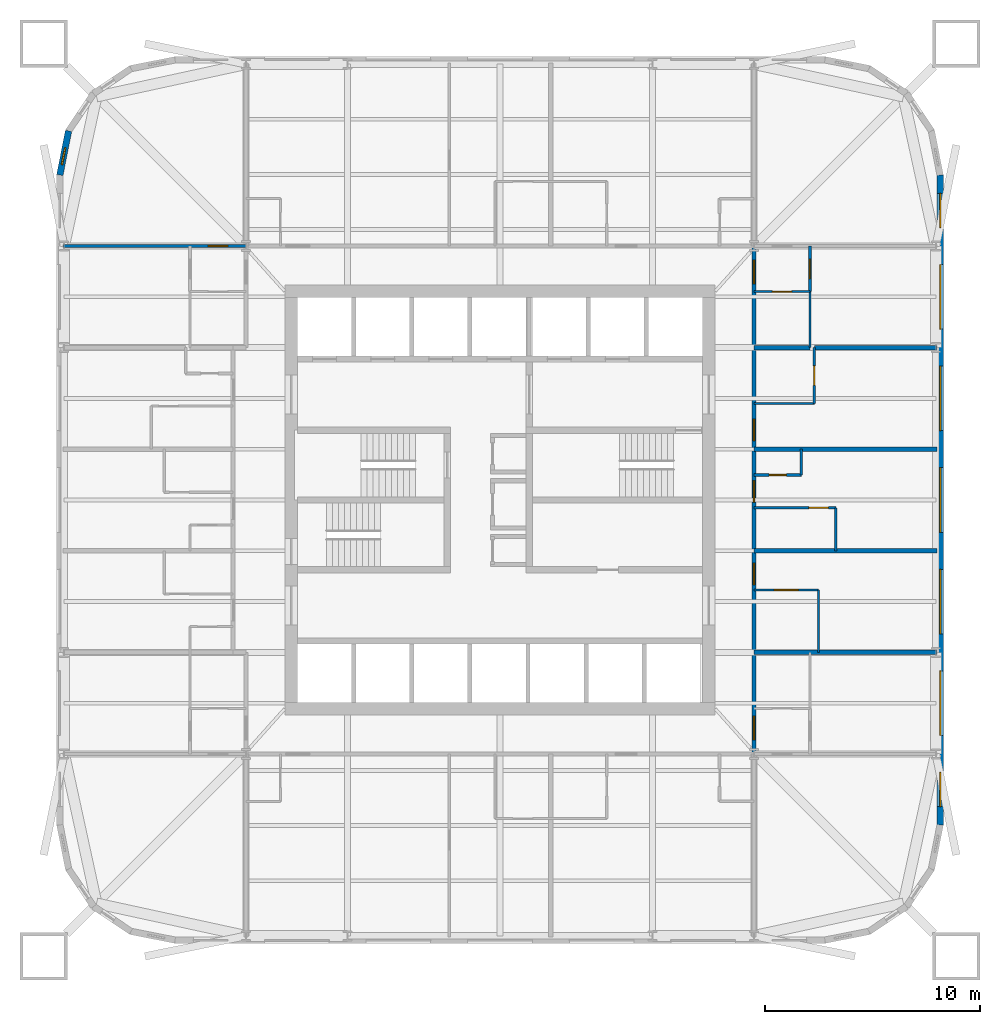
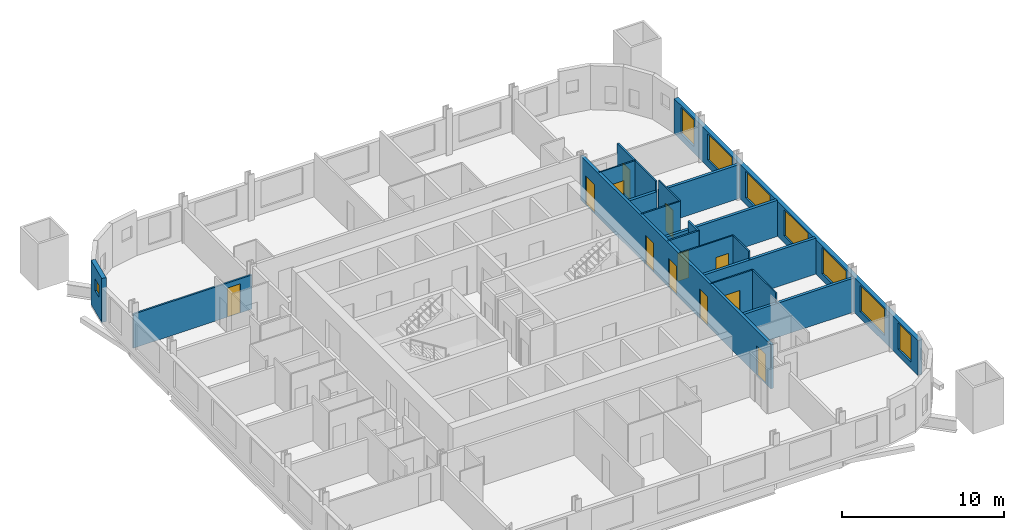
# One storey, part 6 of 9: 20 walls, 12 doors, 8 windows, 20 openings.
"""IFC4 building model written with IfcOpenShell, lengths in metres."""

from ifc_helpers import new_model, si_unit, direction, frame, frame_2d, origin, place, context, subcontext, project, spatial, rectangle, extrude, material, layer, layer_set, type_object, element, fill, save


model = new_model("IFC4")

# Units and contexts
model_context = context("Model", 3, precision=1e-05, world=origin(), true_north=direction((0.0, 1.0)))
body_context = subcontext(model_context, "Body", "Model", "MODEL_VIEW")
ifc_project = project(units=[si_unit("LENGTHUNIT", "METRE"), si_unit("AREAUNIT", "SQUARE_METRE"), si_unit("VOLUMEUNIT", "CUBIC_METRE"), si_unit("PLANEANGLEUNIT", "RADIAN"), si_unit("MASSUNIT", "GRAM", prefix="KILO")], contexts=[model_context])

# Site, building, storey
site_placement = place(None, origin())
site = spatial("IfcSite", under=ifc_project, at=site_placement, CompositionType="ELEMENT")
building_placement = place(site_placement, origin())
building = spatial("IfcBuilding", under=site, at=building_placement, Name="Turquesa Mirador Hotel Tower", CompositionType="ELEMENT")
storey_placement = place(building_placement, frame((0.0, 0.0, 149.39990234375)))
storey = spatial("IfcBuildingStorey", under=building, at=storey_placement, Name="L40", CompositionType="ELEMENT", Elevation=149.39990234375)

# Wall, opening, door
ifc_material_1 = material(Name="Gypsum board on steel studs", Category="steel")
ifc_layer_1 = layer(ifc_material_1, 0.10009765625)
ifc_layer_set_1 = layer_set([ifc_layer_1], Name="BATHROOM WALL 100")
wall_type_1 = type_object("IfcWallType", Name="BATHROOM WALL 100", PredefinedType="PARTITIONING", material=ifc_layer_set_1)
wall_1_placement = place(storey_placement, frame((66.800048828125, 44.639892578125, 0.0), z_axis=(0.0, 0.0, 1.0), x_axis=(1.0, 0.0, 0.0)))
wall_1 = element("IfcWall", 1, at=wall_1_placement, inside=storey, type_object=wall_type_1, Name="Partition L40 001", PredefinedType="PARTITIONING", context=body_context, shape_type="SweptSolid", body=[
    extrude(rectangle(XDim=3.800048828125, YDim=0.10009765625, at=frame_2d((1.89990234375, 0.0))), origin(), (0.0, 0.0, 1.0), 3.330078125),
])
opening_1_placement = place(wall_1_placement, frame((2.550048828125, 0.0, 0.0)))
opening_1 = element("IfcOpeningElement", 2, at=opening_1_placement, cuts=wall_1, Name="Opening D02", PredefinedType="OPENING", context=body_context, shape_type="SweptSolid", body=[
    extrude(rectangle(XDim=0.89990234375, YDim=2.10009765625, at=frame_2d((0.449951171875, 1.050048828125))), frame((0.0, 0.06005859375, 0.0), z_axis=(0.0, -1.0, 0.0), x_axis=(1.0, 0.0, 0.0)), (0.0, 0.0, 1.0), 0.1201171875),
])
ifc_material_2 = material(Name="Timber veneered door", Category="wood")
door_type_1 = type_object("IfcDoorType", Name="DOOR 900X2100 EN-SUITE", OperationType="SINGLE_SWING_RIGHT", PredefinedType="DOOR", material=ifc_material_2)
door_1_placement = place(opening_1_placement, origin())
door_1 = element("IfcDoor", 3, at=door_1_placement, inside=storey, type_object=door_type_1, Name="Door 4006B", OperationType="SINGLE_SWING_RIGHT", OverallHeight=2.10009765625, OverallWidth=0.89990234375, PredefinedType="DOOR", context=body_context, shape_type="SweptSolid", body=[
    extrude(rectangle(XDim=0.89990234375, YDim=2.10009765625, at=frame_2d((0.449951171875, 1.050048828125))), frame((0.0, 0.02490234375, 0.0), z_axis=(0.0, -1.0, 0.0), x_axis=(1.0, 0.0, 0.0)), (0.0, 0.0, 1.0), 0.050048828125),
])
fill(opening_1, door_1)

wall_2_placement = place(storey_placement, frame((66.800048828125, 40.820068359375, 0.0), z_axis=(0.0, 0.0, 1.0), x_axis=(1.0, 0.0, 0.0)))
wall_2 = element("IfcWall", 4, at=wall_2_placement, inside=storey, type_object=wall_type_1, Name="Partition L40 011", PredefinedType="PARTITIONING", context=body_context, shape_type="SweptSolid", body=[
    extrude(rectangle(XDim=3.0, YDim=0.10009765625, at=frame_2d((1.5, 0.0))), origin(), (0.0, 0.0, 1.0), 3.330078125),
])
opening_2_placement = place(wall_2_placement, frame((0.949951171875, 0.0, 0.0)))
opening_2 = element("IfcOpeningElement", 5, at=opening_2_placement, cuts=wall_2, Name="Opening D16", PredefinedType="OPENING", context=body_context, shape_type="SweptSolid", body=[
    extrude(rectangle(XDim=1.10009765625, YDim=2.10009765625, at=frame_2d((0.550048828125, 1.050048828125))), frame((0.0, 0.06005859375, 0.0), z_axis=(0.0, -1.0, 0.0), x_axis=(1.0, 0.0, 0.0)), (0.0, 0.0, 1.0), 0.1201171875),
])
ifc_material_3 = material(Name="Timber veneered sliding door", Category="wood")
door_type_2 = type_object("IfcDoorType", Name="DOOR 1100X2100 ACCESSIBLE EN-SUITE", OperationType="SLIDING_TO_LEFT", PredefinedType="DOOR", material=ifc_material_3)
door_2_placement = place(opening_2_placement, origin())
door_2 = element("IfcDoor", 6, at=door_2_placement, inside=storey, type_object=door_type_2, Name="Door 4005B", OperationType="SLIDING_TO_LEFT", OverallHeight=2.10009765625, OverallWidth=1.10009765625, PredefinedType="DOOR", context=body_context, shape_type="SweptSolid", body=[
    extrude(rectangle(XDim=1.10009765625, YDim=2.10009765625, at=frame_2d((0.550048828125, 1.050048828125))), frame((0.0, 0.02490234375, 0.0), z_axis=(0.0, -1.0, 0.0), x_axis=(1.0, 0.0, 0.0)), (0.0, 0.0, 1.0), 0.050048828125),
])
fill(opening_2, door_2)

# Wall
wall_3_placement = place(storey_placement, frame((66.800048828125, 49.47998046875, 0.0), z_axis=(0.0, 0.0, 1.0), x_axis=(1.0, 0.0, 0.0)))
element("IfcWall", 7, at=wall_3_placement, inside=storey, type_object=wall_type_1, Name="Partition L40 030", PredefinedType="PARTITIONING", context=body_context, shape_type="SweptSolid", body=[
    extrude(rectangle(XDim=2.800048828125, YDim=0.10009765625, at=frame_2d((1.39990234375, 0.0))), origin(), (0.0, 0.0, 1.0), 3.330078125),
])

# Wall, opening, door
wall_4_placement = place(storey_placement, frame((66.800048828125, 54.679931640625, 0.0), z_axis=(0.0, 0.0, 1.0), x_axis=(1.0, 0.0, 0.0)))
wall_4 = element("IfcWall", 8, at=wall_4_placement, inside=storey, type_object=wall_type_1, Name="Partition L40 038", PredefinedType="PARTITIONING", context=body_context, shape_type="SweptSolid", body=[
    extrude(rectangle(XDim=2.599853515625, YDim=0.10009765625, at=frame_2d((1.2998046875, 0.0))), origin(), (0.0, 0.0, 1.0), 3.330078125),
])
opening_3_placement = place(wall_4_placement, frame((0.85009765625, 0.0, 0.0)))
opening_3 = element("IfcOpeningElement", 9, at=opening_3_placement, cuts=wall_4, Name="Opening D02", PredefinedType="OPENING", context=body_context, shape_type="SweptSolid", body=[
    extrude(rectangle(XDim=0.89990234375, YDim=2.10009765625, at=frame_2d((0.449951171875, 1.050048828125))), frame((0.0, 0.06005859375, 0.0), z_axis=(0.0, -1.0, 0.0), x_axis=(1.0, 0.0, 0.0)), (0.0, 0.0, 1.0), 0.1201171875),
])
door_3_placement = place(opening_3_placement, origin())
door_3 = element("IfcDoor", 10, at=door_3_placement, inside=storey, type_object=door_type_1, Name="Door 4011B", OperationType="SINGLE_SWING_RIGHT", OverallHeight=2.10009765625, OverallWidth=0.89990234375, PredefinedType="DOOR", context=body_context, shape_type="SweptSolid", body=[
    extrude(rectangle(XDim=0.89990234375, YDim=2.10009765625, at=frame_2d((0.449951171875, 1.050048828125))), frame((0.0, 0.02490234375, 0.0), z_axis=(0.0, -1.0, 0.0), x_axis=(1.0, 0.0, 0.0)), (0.0, 0.0, 1.0), 0.050048828125),
])
fill(opening_3, door_3)

# Wall
wall_5_placement = place(storey_placement, frame((69.39990234375, 52.080078125, 0.0), z_axis=(0.0, 0.0, 1.0), x_axis=(0.0, 1.0, 0.0)))
element("IfcWall", 11, at=wall_5_placement, inside=storey, type_object=wall_type_1, Name="Partition L40 066", PredefinedType="PARTITIONING", context=body_context, shape_type="SweptSolid", body=[
    extrude(rectangle(XDim=2.599853515625, YDim=0.10009765625, at=frame_2d((1.2998046875, 0.0))), origin(), (0.0, 0.0, 1.0), 3.330078125),
])

# Wall, opening, door
wall_6_placement = place(storey_placement, frame((69.60009765625, 49.47998046875, 0.0), z_axis=(0.0, 0.0, 1.0), x_axis=(0.0, 1.0, 0.0)))
wall_6 = element("IfcWall", 12, at=wall_6_placement, inside=storey, type_object=wall_type_1, Name="Partition L40 069", PredefinedType="PARTITIONING", context=body_context, shape_type="SweptSolid", body=[
    extrude(rectangle(XDim=2.60009765625, YDim=0.10009765625, at=frame_2d((1.300048828125, 0.0))), origin(), (0.0, 0.0, 1.0), 3.330078125),
])
opening_4_placement = place(wall_6_placement, frame((0.85009765625, 0.0, 0.0)))
opening_4 = element("IfcOpeningElement", 13, at=opening_4_placement, cuts=wall_6, Name="Opening D02", PredefinedType="OPENING", context=body_context, shape_type="SweptSolid", body=[
    extrude(rectangle(XDim=0.89990234375, YDim=2.10009765625, at=frame_2d((0.449951171875, 1.050048828125))), frame((0.0, 0.06005859375, 0.0), z_axis=(0.0, -1.0, 0.0), x_axis=(1.0, 0.0, 0.0)), (0.0, 0.0, 1.0), 0.1201171875),
])
door_4_placement = place(opening_4_placement, origin())
door_4 = element("IfcDoor", 14, at=door_4_placement, inside=storey, type_object=door_type_1, Name="Door 4007B", OperationType="SINGLE_SWING_RIGHT", OverallHeight=2.10009765625, OverallWidth=0.89990234375, PredefinedType="DOOR", context=body_context, shape_type="SweptSolid", body=[
    extrude(rectangle(XDim=0.89990234375, YDim=2.10009765625, at=frame_2d((0.449951171875, 1.050048828125))), frame((0.0, 0.02490234375, 0.0), z_axis=(0.0, -1.0, 0.0), x_axis=(1.0, 0.0, 0.0)), (0.0, 0.0, 1.0), 0.050048828125),
])
fill(opening_4, door_4)

# Walls
wall_7_placement = place(storey_placement, frame((69.800048828125, 37.919921875, 0.0), z_axis=(0.0, 0.0, 1.0), x_axis=(0.0, 1.0, 0.0)))
element("IfcWall", 15, at=wall_7_placement, inside=storey, type_object=wall_type_1, Name="Partition L40 070", PredefinedType="PARTITIONING", context=body_context, shape_type="SweptSolid", body=[
    extrude(rectangle(XDim=2.900146484375, YDim=0.10009765625, at=frame_2d((1.4501953125, 0.0))), origin(), (0.0, 0.0, 1.0), 3.330078125),
])
wall_8_placement = place(storey_placement, frame((70.60009765625, 42.639892578125, 0.0), z_axis=(0.0, 0.0, 1.0), x_axis=(0.0, 1.0, 0.0)))
element("IfcWall", 16, at=wall_8_placement, inside=storey, type_object=wall_type_1, Name="Partition L40 071", PredefinedType="PARTITIONING", context=body_context, shape_type="SweptSolid", body=[
    extrude(rectangle(XDim=2.0, YDim=0.10009765625, at=frame_2d((1.0, 0.0))), origin(), (0.0, 0.0, 1.0), 3.330078125),
])

# Wall, openings, doors
ifc_material_4 = material(Name="Fire-rated gypsum board on steel studs", Category="steel")
ifc_layer_2 = layer(ifc_material_4, 0.199951171875)
ifc_layer_set_2 = layer_set([ifc_layer_2], Name="CORRIDOR WALL 200")
wall_type_2 = type_object("IfcWallType", Name="CORRIDOR WALL 200", PredefinedType="PARTITIONING", material=ifc_layer_set_2)
wall_9_placement = place(storey_placement, frame((66.800048828125, 33.199951171875, 0.0), z_axis=(0.0, 0.0, 1.0), x_axis=(0.0, 1.0, 0.0)))
wall_9 = element("IfcWall", 17, at=wall_9_placement, inside=storey, type_object=wall_type_2, Name="Partition L40 061", PredefinedType="PARTITIONING", context=body_context, shape_type="SweptSolid", body=[
    extrude(rectangle(XDim=23.60009765625, YDim=0.199951171875, at=frame_2d((11.800048828125, 0.0))), origin(), (0.0, 0.0, 1.0), 3.330078125),
])
opening_5_placement = place(wall_9_placement, frame((7.8701171875, 0.0, 0.0)))
opening_5 = element("IfcOpeningElement", 18, at=opening_5_placement, cuts=wall_9, Name="Opening D01", PredefinedType="OPENING", context=body_context, shape_type="SweptSolid", body=[
    extrude(rectangle(XDim=1.0, YDim=2.199951171875, at=frame_2d((0.5, 1.10009765625))), frame((0.0, 0.10986328125, 0.0), z_axis=(0.0, -1.0, 0.0), x_axis=(1.0, 0.0, 0.0)), (0.0, 0.0, 1.0), 0.219970703125),
])
opening_6_placement = place(wall_9_placement, frame((11.699951171875, 0.0, 0.0)))
opening_6 = element("IfcOpeningElement", 19, at=opening_6_placement, cuts=wall_9, Name="Opening D01", PredefinedType="OPENING", context=body_context, shape_type="SweptSolid", body=[
    extrude(rectangle(XDim=1.0, YDim=2.199951171875, at=frame_2d((0.5, 1.10009765625))), frame((0.0, 0.10986328125, 0.0), z_axis=(0.0, -1.0, 0.0), x_axis=(1.0, 0.0, 0.0)), (0.0, 0.0, 1.0), 0.219970703125),
])
opening_7_placement = place(wall_9_placement, frame((14.56005859375, 0.0, 0.0)))
opening_7 = element("IfcOpeningElement", 20, at=opening_7_placement, cuts=wall_9, Name="Opening D01", PredefinedType="OPENING", context=body_context, shape_type="SweptSolid", body=[
    extrude(rectangle(XDim=1.0, YDim=2.199951171875, at=frame_2d((0.5, 1.10009765625))), frame((0.0, 0.10986328125, 0.0), z_axis=(0.0, -1.0, 0.0), x_axis=(1.0, 0.0, 0.0)), (0.0, 0.0, 1.0), 0.219970703125),
])
opening_8_placement = place(wall_9_placement, frame((21.840087890625, 0.0, 0.0)))
opening_8 = element("IfcOpeningElement", 21, at=opening_8_placement, cuts=wall_9, Name="Opening D15", PredefinedType="OPENING", context=body_context, shape_type="SweptSolid", body=[
    extrude(rectangle(XDim=1.10009765625, YDim=2.199951171875, at=frame_2d((0.550048828125, 1.10009765625))), frame((0.0, 0.10986328125, 0.0), z_axis=(0.0, -1.0, 0.0), x_axis=(1.0, 0.0, 0.0)), (0.0, 0.0, 1.0), 0.219970703125),
])
opening_9_placement = place(wall_9_placement, frame((0.659912109375, 0.0, 0.0)))
opening_9 = element("IfcOpeningElement", 22, at=opening_9_placement, cuts=wall_9, Name="Opening D15", PredefinedType="OPENING", context=body_context, shape_type="SweptSolid", body=[
    extrude(rectangle(XDim=1.10009765625, YDim=2.199951171875, at=frame_2d((0.550048828125, 1.10009765625))), frame((0.0, 0.10986328125, 0.0), z_axis=(0.0, -1.0, 0.0), x_axis=(1.0, 0.0, 0.0)), (0.0, 0.0, 1.0), 0.219970703125),
])
ifc_material_5 = material(Name="Timber veneered fire door", Category="wood")
door_type_3 = type_object("IfcDoorType", Name="DOOR 1000X2200 GUEST ENTRY", OperationType="SINGLE_SWING_LEFT", PredefinedType="DOOR", material=ifc_material_5)
door_5_placement = place(opening_5_placement, origin())
door_5 = element("IfcDoor", 23, at=door_5_placement, inside=storey, type_object=door_type_3, Name="Door 4005", OperationType="SINGLE_SWING_LEFT", OverallHeight=2.199951171875, OverallWidth=1.0, PredefinedType="DOOR", context=body_context, shape_type="SweptSolid", body=[
    extrude(rectangle(XDim=1.0, YDim=2.199951171875, at=frame_2d((0.5, 1.10009765625))), frame((0.0, 0.02490234375, 0.0), z_axis=(0.0, -1.0, 0.0), x_axis=(1.0, 0.0, 0.0)), (0.0, 0.0, 1.0), 0.050048828125),
])
fill(opening_5, door_5)
door_6_placement = place(opening_6_placement, origin())
door_6 = element("IfcDoor", 24, at=door_6_placement, inside=storey, type_object=door_type_3, Name="Door 4006", OperationType="SINGLE_SWING_LEFT", OverallHeight=2.199951171875, OverallWidth=1.0, PredefinedType="DOOR", context=body_context, shape_type="SweptSolid", body=[
    extrude(rectangle(XDim=1.0, YDim=2.199951171875, at=frame_2d((0.5, 1.10009765625))), frame((0.0, 0.02490234375, 0.0), z_axis=(0.0, -1.0, 0.0), x_axis=(1.0, 0.0, 0.0)), (0.0, 0.0, 1.0), 0.050048828125),
])
fill(opening_6, door_6)
door_7_placement = place(opening_7_placement, origin())
door_7 = element("IfcDoor", 25, at=door_7_placement, inside=storey, type_object=door_type_3, Name="Door 4007", OperationType="SINGLE_SWING_LEFT", OverallHeight=2.199951171875, OverallWidth=1.0, PredefinedType="DOOR", context=body_context, shape_type="SweptSolid", body=[
    extrude(rectangle(XDim=1.0, YDim=2.199951171875, at=frame_2d((0.5, 1.10009765625))), frame((0.0, 0.02490234375, 0.0), z_axis=(0.0, -1.0, 0.0), x_axis=(1.0, 0.0, 0.0)), (0.0, 0.0, 1.0), 0.050048828125),
])
fill(opening_7, door_7)
ifc_material_6 = material(Name="Timber veneered fire door", Category="wood")
door_type_4 = type_object("IfcDoorType", Name="DOOR 1100X2200 SUITE ENTRY", OperationType="SINGLE_SWING_LEFT", PredefinedType="DOOR", material=ifc_material_6)
door_8_placement = place(opening_8_placement, origin())
door_8 = element("IfcDoor", 26, at=door_8_placement, inside=storey, type_object=door_type_4, Name="Door 4011H", OperationType="SINGLE_SWING_LEFT", OverallHeight=2.199951171875, OverallWidth=1.10009765625, PredefinedType="DOOR", context=body_context, shape_type="SweptSolid", body=[
    extrude(rectangle(XDim=1.10009765625, YDim=2.199951171875, at=frame_2d((0.550048828125, 1.10009765625))), frame((0.0, 0.02490234375, 0.0), z_axis=(0.0, -1.0, 0.0), x_axis=(1.0, 0.0, 0.0)), (0.0, 0.0, 1.0), 0.050048828125),
])
fill(opening_8, door_8)
door_9_placement = place(opening_9_placement, origin())
door_9 = element("IfcDoor", 27, at=door_9_placement, inside=storey, type_object=door_type_4, Name="Door 4014H", OperationType="SINGLE_SWING_LEFT", OverallHeight=2.199951171875, OverallWidth=1.10009765625, PredefinedType="DOOR", context=body_context, shape_type="SweptSolid", body=[
    extrude(rectangle(XDim=1.10009765625, YDim=2.199951171875, at=frame_2d((0.550048828125, 1.10009765625))), frame((0.0, 0.02490234375, 0.0), z_axis=(0.0, -1.0, 0.0), x_axis=(1.0, 0.0, 0.0)), (0.0, 0.0, 1.0), 0.050048828125),
])
fill(opening_9, door_9)

# Wall, openings, windows
ifc_material_7 = material(Name="Limestone cladding on concrete block", Category="masonry")
ifc_layer_3 = layer(ifc_material_7, 0.300048828125)
ifc_layer_set_3 = layer_set([ifc_layer_3], Name="FACADE WALL 300 STONE SCREEN")
wall_type_3 = type_object("IfcWallType", Name="FACADE WALL 300 STONE SCREEN", PredefinedType="SOLIDWALL", material=ifc_layer_set_3)
wall_10_placement = place(storey_placement, frame((75.449951171875, 29.89990234375, 0.0), z_axis=(0.0, 0.0, 1.0), x_axis=(0.0, 1.0, 0.0)))
wall_10 = element("IfcWall", 28, at=wall_10_placement, inside=storey, type_object=wall_type_3, Name="Facade wall L40 04", PredefinedType="SOLIDWALL", context=body_context, shape_type="SweptSolid", body=[
    extrude(rectangle(XDim=30.2001953125, YDim=0.300048828125, at=frame_2d((15.10009765625, 0.0))), origin(), (0.0, 0.0, 1.0), 2.630126953125),
])
opening_10_placement = place(wall_10_placement, frame((0.85009765625, 0.0, 0.5)))
opening_10 = element("IfcOpeningElement", 29, at=opening_10_placement, cuts=wall_10, Name="Opening WN3", PredefinedType="OPENING", context=body_context, shape_type="SweptSolid", body=[
    extrude(rectangle(XDim=1.60009765625, YDim=2.0, at=frame_2d((0.800048828125, 1.0))), frame((0.0, 0.159912109375, 0.0), z_axis=(0.0, -1.0, 0.0), x_axis=(1.0, 0.0, 0.0)), (0.0, 0.0, 1.0), 0.320068359375),
])
opening_11_placement = place(wall_10_placement, frame((4.159912109375, 0.0, 0.5)))
opening_11 = element("IfcOpeningElement", 30, at=opening_11_placement, cuts=wall_10, Name="Opening WN1", PredefinedType="OPENING", context=body_context, shape_type="SweptSolid", body=[
    extrude(rectangle(XDim=3.0, YDim=2.0, at=frame_2d((1.5, 1.0))), frame((0.0, 0.159912109375, 0.0), z_axis=(0.0, -1.0, 0.0), x_axis=(1.0, 0.0, 0.0)), (0.0, 0.0, 1.0), 0.320068359375),
])
opening_12_placement = place(wall_10_placement, frame((8.8798828125, 0.0, 0.5)))
opening_12 = element("IfcOpeningElement", 31, at=opening_12_placement, cuts=wall_10, Name="Opening WN1", PredefinedType="OPENING", context=body_context, shape_type="SweptSolid", body=[
    extrude(rectangle(XDim=3.0, YDim=2.0, at=frame_2d((1.5, 1.0))), frame((0.0, 0.159912109375, 0.0), z_axis=(0.0, -1.0, 0.0), x_axis=(1.0, 0.0, 0.0)), (0.0, 0.0, 1.0), 0.320068359375),
])
opening_13_placement = place(wall_10_placement, frame((13.60009765625, 0.0, 0.5)))
opening_13 = element("IfcOpeningElement", 32, at=opening_13_placement, cuts=wall_10, Name="Opening WN1", PredefinedType="OPENING", context=body_context, shape_type="SweptSolid", body=[
    extrude(rectangle(XDim=3.0, YDim=2.0, at=frame_2d((1.5, 1.0))), frame((0.0, 0.159912109375, 0.0), z_axis=(0.0, -1.0, 0.0), x_axis=(1.0, 0.0, 0.0)), (0.0, 0.0, 1.0), 0.320068359375),
])
opening_14_placement = place(wall_10_placement, frame((18.320068359375, 0.0, 0.5)))
opening_14 = element("IfcOpeningElement", 33, at=opening_14_placement, cuts=wall_10, Name="Opening WN1", PredefinedType="OPENING", context=body_context, shape_type="SweptSolid", body=[
    extrude(rectangle(XDim=3.0, YDim=2.0, at=frame_2d((1.5, 1.0))), frame((0.0, 0.159912109375, 0.0), z_axis=(0.0, -1.0, 0.0), x_axis=(1.0, 0.0, 0.0)), (0.0, 0.0, 1.0), 0.320068359375),
])
opening_15_placement = place(wall_10_placement, frame((23.0400390625, 0.0, 0.5)))
opening_15 = element("IfcOpeningElement", 34, at=opening_15_placement, cuts=wall_10, Name="Opening WN1", PredefinedType="OPENING", context=body_context, shape_type="SweptSolid", body=[
    extrude(rectangle(XDim=3.0, YDim=2.0, at=frame_2d((1.5, 1.0))), frame((0.0, 0.159912109375, 0.0), z_axis=(0.0, -1.0, 0.0), x_axis=(1.0, 0.0, 0.0)), (0.0, 0.0, 1.0), 0.320068359375),
])
opening_16_placement = place(wall_10_placement, frame((27.75, 0.0, 0.5)))
opening_16 = element("IfcOpeningElement", 35, at=opening_16_placement, cuts=wall_10, Name="Opening WN3", PredefinedType="OPENING", context=body_context, shape_type="SweptSolid", body=[
    extrude(rectangle(XDim=1.60009765625, YDim=2.0, at=frame_2d((0.800048828125, 1.0))), frame((0.0, 0.159912109375, 0.0), z_axis=(0.0, -1.0, 0.0), x_axis=(1.0, 0.0, 0.0)), (0.0, 0.0, 1.0), 0.320068359375),
])
ifc_material_8 = material(Name="Ceramic-fritted laminated glass", Category="glass")
window_type_1 = type_object("IfcWindowType", Name="FRITTED WINDOW 1600X2000", PartitioningType="DOUBLE_PANEL_HORIZONTAL", PredefinedType="WINDOW", material=ifc_material_8)
window_1_placement = place(opening_10_placement, origin())
window_1 = element("IfcWindow", 36, at=window_1_placement, inside=storey, type_object=window_type_1, Name="Window L40", OverallHeight=2.0, OverallWidth=1.60009765625, PartitioningType="SINGLE_PANEL", PredefinedType="WINDOW", context=body_context, shape_type="SweptSolid", body=[
    extrude(rectangle(XDim=1.60009765625, YDim=2.0, at=frame_2d((0.800048828125, 1.0))), frame((0.0, 0.030029296875, 0.0), z_axis=(0.0, -1.0, 0.0), x_axis=(1.0, 0.0, 0.0)), (0.0, 0.0, 1.0), 0.06005859375),
])
fill(opening_10, window_1)
window_2_placement = place(opening_16_placement, origin())
window_2 = element("IfcWindow", 37, at=window_2_placement, inside=storey, type_object=window_type_1, Name="Window L40", OverallHeight=2.0, OverallWidth=1.60009765625, PartitioningType="SINGLE_PANEL", PredefinedType="WINDOW", context=body_context, shape_type="SweptSolid", body=[
    extrude(rectangle(XDim=1.60009765625, YDim=2.0, at=frame_2d((0.800048828125, 1.0))), frame((0.0, 0.030029296875, 0.0), z_axis=(0.0, -1.0, 0.0), x_axis=(1.0, 0.0, 0.0)), (0.0, 0.0, 1.0), 0.06005859375),
])
fill(opening_16, window_2)
ifc_material_9 = material(Name="Ceramic-fritted laminated glass", Category="glass")
window_type_2 = type_object("IfcWindowType", Name="FRITTED WINDOW 3000X2000", PartitioningType="DOUBLE_PANEL_HORIZONTAL", PredefinedType="WINDOW", material=ifc_material_9)
window_3_placement = place(opening_11_placement, origin())
window_3 = element("IfcWindow", 38, at=window_3_placement, inside=storey, type_object=window_type_2, Name="Window L40", OverallHeight=2.0, OverallWidth=3.0, PartitioningType="SINGLE_PANEL", PredefinedType="WINDOW", context=body_context, shape_type="SweptSolid", body=[
    extrude(rectangle(XDim=3.0, YDim=2.0, at=frame_2d((1.5, 1.0))), frame((0.0, 0.030029296875, 0.0), z_axis=(0.0, -1.0, 0.0), x_axis=(1.0, 0.0, 0.0)), (0.0, 0.0, 1.0), 0.06005859375),
])
fill(opening_11, window_3)
window_4_placement = place(opening_12_placement, origin())
window_4 = element("IfcWindow", 39, at=window_4_placement, inside=storey, type_object=window_type_2, Name="Window L40", OverallHeight=2.0, OverallWidth=3.0, PartitioningType="SINGLE_PANEL", PredefinedType="WINDOW", context=body_context, shape_type="SweptSolid", body=[
    extrude(rectangle(XDim=3.0, YDim=2.0, at=frame_2d((1.5, 1.0))), frame((0.0, 0.030029296875, 0.0), z_axis=(0.0, -1.0, 0.0), x_axis=(1.0, 0.0, 0.0)), (0.0, 0.0, 1.0), 0.06005859375),
])
fill(opening_12, window_4)
window_5_placement = place(opening_13_placement, origin())
window_5 = element("IfcWindow", 40, at=window_5_placement, inside=storey, type_object=window_type_2, Name="Window L40", OverallHeight=2.0, OverallWidth=3.0, PartitioningType="SINGLE_PANEL", PredefinedType="WINDOW", context=body_context, shape_type="SweptSolid", body=[
    extrude(rectangle(XDim=3.0, YDim=2.0, at=frame_2d((1.5, 1.0))), frame((0.0, 0.030029296875, 0.0), z_axis=(0.0, -1.0, 0.0), x_axis=(1.0, 0.0, 0.0)), (0.0, 0.0, 1.0), 0.06005859375),
])
fill(opening_13, window_5)
window_6_placement = place(opening_14_placement, origin())
window_6 = element("IfcWindow", 41, at=window_6_placement, inside=storey, type_object=window_type_2, Name="Window L40", OverallHeight=2.0, OverallWidth=3.0, PartitioningType="SINGLE_PANEL", PredefinedType="WINDOW", context=body_context, shape_type="SweptSolid", body=[
    extrude(rectangle(XDim=3.0, YDim=2.0, at=frame_2d((1.5, 1.0))), frame((0.0, 0.030029296875, 0.0), z_axis=(0.0, -1.0, 0.0), x_axis=(1.0, 0.0, 0.0)), (0.0, 0.0, 1.0), 0.06005859375),
])
fill(opening_14, window_6)
window_7_placement = place(opening_15_placement, origin())
window_7 = element("IfcWindow", 42, at=window_7_placement, inside=storey, type_object=window_type_2, Name="Window L40", OverallHeight=2.0, OverallWidth=3.0, PartitioningType="SINGLE_PANEL", PredefinedType="WINDOW", context=body_context, shape_type="SweptSolid", body=[
    extrude(rectangle(XDim=3.0, YDim=2.0, at=frame_2d((1.5, 1.0))), frame((0.0, 0.030029296875, 0.0), z_axis=(0.0, -1.0, 0.0), x_axis=(1.0, 0.0, 0.0)), (0.0, 0.0, 1.0), 0.06005859375),
])
fill(opening_15, window_7)

# Wall, opening, window
wall_11_placement = place(storey_placement, frame((34.957275390625, 62.1474609375, 0.0), z_axis=(0.0, 0.0, 1.0), x_axis=(-0.195081421501, -0.980787050784, 0.0)))
wall_11 = element("IfcWall", 43, at=wall_11_placement, inside=storey, type_object=wall_type_3, Name="Facade wall L40 13", PredefinedType="SOLIDWALL", context=body_context, shape_type="SweptSolid", body=[
    extrude(rectangle(XDim=2.08740234375, YDim=0.300048828125, at=frame_2d((1.043701171875, 0.0))), origin(), (0.0, 0.0, 1.0), 3.330078125),
])
opening_17_placement = place(wall_11_placement, frame((0.793701171875, 0.0, 1.550048828125)))
opening_17 = element("IfcOpeningElement", 44, at=opening_17_placement, cuts=wall_11, Name="Opening WN18", PredefinedType="OPENING", context=body_context, shape_type="SweptSolid", body=[
    extrude(rectangle(XDim=0.800048828125, YDim=0.89990234375, at=frame_2d((0.39990234375, 0.449951171875))), frame((0.0, 0.159912109375, 0.0), z_axis=(0.0, -1.0, 0.0), x_axis=(1.0, 0.0, 0.0)), (0.0, 0.0, 1.0), 0.320068359375),
])
ifc_material_10 = material(Name="Ceramic-fritted laminated glass", Category="glass")
window_type_3 = type_object("IfcWindowType", Name="FRITTED CORNER WINDOW 800X900", PartitioningType="DOUBLE_PANEL_HORIZONTAL", PredefinedType="WINDOW", material=ifc_material_10)
window_8_placement = place(opening_17_placement, origin())
window_8 = element("IfcWindow", 45, at=window_8_placement, inside=storey, type_object=window_type_3, Name="Window L40", OverallHeight=0.89990234375, OverallWidth=0.800048828125, PartitioningType="SINGLE_PANEL", PredefinedType="WINDOW", context=body_context, shape_type="SweptSolid", body=[
    extrude(rectangle(XDim=0.800048828125, YDim=0.89990234375, at=frame_2d((0.39990234375, 0.449951171875))), frame((0.0, 0.030029296875, 0.0), z_axis=(0.0, -1.0, 0.0), x_axis=(1.0, 0.0, 0.0)), (0.0, 0.0, 1.0), 0.06005859375),
])
fill(opening_17, window_8)

# Walls
ifc_material_11 = material(Name="Fire-rated gypsum board on steel studs", Category="steel")
ifc_layer_4 = layer(ifc_material_11, 0.199951171875)
ifc_layer_set_4 = layer_set([ifc_layer_4], Name="PARTY WALL 200")
wall_type_4 = type_object("IfcWallType", Name="PARTY WALL 200", PredefinedType="PARTITIONING", material=ifc_layer_set_4)
wall_12_placement = place(storey_placement, frame((66.800048828125, 42.639892578125, 0.0), z_axis=(0.0, 0.0, 1.0), x_axis=(1.0, 0.0, 0.0)))
element("IfcWall", 46, at=wall_12_placement, inside=storey, type_object=wall_type_4, Name="Partition L40 010", PredefinedType="PARTITIONING", context=body_context, shape_type="SweptSolid", body=[
    extrude(rectangle(XDim=8.5, YDim=0.199951171875, at=frame_2d((4.25, 0.0))), origin(), (0.0, 0.0, 1.0), 2.730712890625),
])
wall_13_placement = place(storey_placement, frame((66.800048828125, 37.919921875, 0.0), z_axis=(0.0, 0.0, 1.0), x_axis=(1.0, 0.0, 0.0)))
element("IfcWall", 47, at=wall_13_placement, inside=storey, type_object=wall_type_4, Name="Partition L40 016", PredefinedType="PARTITIONING", context=body_context, shape_type="SweptSolid", body=[
    extrude(rectangle(XDim=8.5, YDim=0.199951171875, at=frame_2d((4.25, 0.0))), origin(), (0.0, 0.0, 1.0), 2.5732421875),
])
wall_14_placement = place(storey_placement, frame((66.800048828125, 47.360107421875, 0.0), z_axis=(0.0, 0.0, 1.0), x_axis=(1.0, 0.0, 0.0)))
element("IfcWall", 48, at=wall_14_placement, inside=storey, type_object=wall_type_4, Name="Partition L40 028", PredefinedType="PARTITIONING", context=body_context, shape_type="SweptSolid", body=[
    extrude(rectangle(XDim=8.5, YDim=0.199951171875, at=frame_2d((4.25, 0.0))), origin(), (0.0, 0.0, 1.0), 2.730712890625),
])
wall_15_placement = place(storey_placement, frame((66.800048828125, 52.080078125, 0.0), z_axis=(0.0, 0.0, 1.0), x_axis=(1.0, 0.0, 0.0)))
element("IfcWall", 49, at=wall_15_placement, inside=storey, type_object=wall_type_4, Name="Partition L40 035", PredefinedType="PARTITIONING", context=body_context, shape_type="SweptSolid", body=[
    extrude(rectangle(XDim=2.599853515625, YDim=0.199951171875, at=frame_2d((1.2998046875, 0.0))), origin(), (0.0, 0.0, 1.0), 2.5732421875),
])
wall_16_placement = place(storey_placement, frame((69.60009765625, 52.080078125, 0.0), z_axis=(0.0, 0.0, 1.0), x_axis=(1.0, 0.0, 0.0)))
element("IfcWall", 50, at=wall_16_placement, inside=storey, type_object=wall_type_4, Name="Partition L40 036", PredefinedType="PARTITIONING", context=body_context, shape_type="SweptSolid", body=[
    extrude(rectangle(XDim=5.699951171875, YDim=0.199951171875, at=frame_2d((2.85009765625, 0.0))), origin(), (0.0, 0.0, 1.0), 2.5732421875),
])

# Wall, opening, door
ifc_material_12 = material(Name="Acoustic gypsum board on steel studs", Category="steel")
ifc_layer_5 = layer(ifc_material_12, 0.125)
ifc_layer_set_5 = layer_set([ifc_layer_5], Name="SUITE PARTITION 125")
wall_type_5 = type_object("IfcWallType", Name="SUITE PARTITION 125", PredefinedType="PARTITIONING", material=ifc_layer_set_5)
wall_17_placement = place(storey_placement, frame((66.800048828125, 46.159912109375, 0.0), z_axis=(0.0, 0.0, 1.0), x_axis=(1.0, 0.0, 0.0)))
wall_17 = element("IfcWall", 51, at=wall_17_placement, inside=storey, type_object=wall_type_5, Name="Partition L40 020", PredefinedType="PARTITIONING", context=body_context, shape_type="SweptSolid", body=[
    extrude(rectangle(XDim=2.199951171875, YDim=0.125, at=frame_2d((1.10009765625, 0.0))), origin(), (0.0, 0.0, 1.0), 3.330078125),
])
opening_18_placement = place(wall_17_placement, frame((0.699951171875, 0.0, 0.0)))
opening_18 = element("IfcOpeningElement", 52, at=opening_18_placement, cuts=wall_17, Name="Opening D20", PredefinedType="OPENING", context=body_context, shape_type="SweptSolid", body=[
    extrude(rectangle(XDim=0.800048828125, YDim=2.10009765625, at=frame_2d((0.39990234375, 1.050048828125))), frame((0.0, 0.072509765625, 0.0), z_axis=(0.0, -1.0, 0.0), x_axis=(1.0, 0.0, 0.0)), (0.0, 0.0, 1.0), 0.14501953125),
])
ifc_material_13 = material(Name="Timber veneered sliding door", Category="wood")
door_type_5 = type_object("IfcDoorType", Name="DOOR 800X2100 WARDROBE", OperationType="SLIDING_TO_LEFT", PredefinedType="DOOR", material=ifc_material_13)
door_10_placement = place(opening_18_placement, origin())
door_10 = element("IfcDoor", 53, at=door_10_placement, inside=storey, type_object=door_type_5, Name="Door 4006W", OperationType="SLIDING_TO_LEFT", OverallHeight=2.10009765625, OverallWidth=0.800048828125, PredefinedType="DOOR", context=body_context, shape_type="SweptSolid", body=[
    extrude(rectangle(XDim=0.800048828125, YDim=2.10009765625, at=frame_2d((0.39990234375, 1.050048828125))), frame((0.0, 0.02490234375, 0.0), z_axis=(0.0, -1.0, 0.0), x_axis=(1.0, 0.0, 0.0)), (0.0, 0.0, 1.0), 0.050048828125),
])
fill(opening_18, door_10)

wall_18_placement = place(storey_placement, frame((34.699951171875, 56.800048828125, 0.0), z_axis=(0.0, 0.0, 1.0), x_axis=(1.0, 0.0, 0.0)))
wall_18 = element("IfcWall", 54, at=wall_18_placement, inside=storey, type_object=wall_type_5, Name="Partition L40 022", PredefinedType="PARTITIONING", context=body_context, shape_type="SweptSolid", body=[
    extrude(rectangle(XDim=8.5, YDim=0.125, at=frame_2d((4.25, 0.0))), origin(), (0.0, 0.0, 1.0), 2.5732421875),
])
opening_19_placement = place(wall_18_placement, frame((6.75, 0.0, 0.0)))
opening_19 = element("IfcOpeningElement", 55, at=opening_19_placement, cuts=wall_18, Name="Opening D17", PredefinedType="OPENING", context=body_context, shape_type="SweptSolid", body=[
    extrude(rectangle(XDim=0.89990234375, YDim=2.199951171875, at=frame_2d((0.449951171875, 1.10009765625))), frame((0.0, 0.072509765625, 0.0), z_axis=(0.0, -1.0, 0.0), x_axis=(1.0, 0.0, 0.0)), (0.0, 0.0, 1.0), 0.14501953125),
])
ifc_material_14 = material(Name="Timber veneered door", Category="wood")
door_type_6 = type_object("IfcDoorType", Name="DOOR 900X2200 SUITE INTERNAL", OperationType="SINGLE_SWING_LEFT", PredefinedType="DOOR", material=ifc_material_14)
door_11_placement = place(opening_19_placement, origin())
door_11 = element("IfcDoor", 56, at=door_11_placement, inside=storey, type_object=door_type_6, Name="Door 4012", OperationType="SINGLE_SWING_LEFT", OverallHeight=2.199951171875, OverallWidth=0.89990234375, PredefinedType="DOOR", context=body_context, shape_type="SweptSolid", body=[
    extrude(rectangle(XDim=0.89990234375, YDim=2.199951171875, at=frame_2d((0.449951171875, 1.10009765625))), frame((0.0, 0.02490234375, 0.0), z_axis=(0.0, -1.0, 0.0), x_axis=(1.0, 0.0, 0.0)), (0.0, 0.0, 1.0), 0.050048828125),
])
fill(opening_19, door_11)

# Wall
wall_19_placement = place(storey_placement, frame((69.0, 46.159912109375, 0.0), z_axis=(0.0, 0.0, 1.0), x_axis=(0.0, 1.0, 0.0)))
element("IfcWall", 57, at=wall_19_placement, inside=storey, type_object=wall_type_5, Name="Partition L40 064", PredefinedType="PARTITIONING", context=body_context, shape_type="SweptSolid", body=[
    extrude(rectangle(XDim=1.2001953125, YDim=0.125, at=frame_2d((0.60009765625, 0.0))), origin(), (0.0, 0.0, 1.0), 3.330078125),
])

# Wall, opening, door
wall_20_placement = place(storey_placement, frame((69.39990234375, 54.679931640625, 0.0), z_axis=(0.0, 0.0, 1.0), x_axis=(0.0, 1.0, 0.0)))
wall_20 = element("IfcWall", 58, at=wall_20_placement, inside=storey, type_object=wall_type_5, Name="Partition L40 068", PredefinedType="PARTITIONING", context=body_context, shape_type="SweptSolid", body=[
    extrude(rectangle(XDim=2.1201171875, YDim=0.125, at=frame_2d((1.06005859375, 0.0))), origin(), (0.0, 0.0, 1.0), 3.330078125),
])
opening_20_placement = place(wall_20_placement, frame((0.610107421875, 0.0, 0.0)))
opening_20 = element("IfcOpeningElement", 59, at=opening_20_placement, cuts=wall_20, Name="Opening D17", PredefinedType="OPENING", context=body_context, shape_type="SweptSolid", body=[
    extrude(rectangle(XDim=0.89990234375, YDim=2.199951171875, at=frame_2d((0.449951171875, 1.10009765625))), frame((0.0, 0.072509765625, 0.0), z_axis=(0.0, -1.0, 0.0), x_axis=(1.0, 0.0, 0.0)), (0.0, 0.0, 1.0), 0.14501953125),
])
door_12_placement = place(opening_20_placement, origin())
door_12 = element("IfcDoor", 60, at=door_12_placement, inside=storey, type_object=door_type_6, Name="Door 4011R", OperationType="SINGLE_SWING_LEFT", OverallHeight=2.199951171875, OverallWidth=0.89990234375, PredefinedType="DOOR", context=body_context, shape_type="SweptSolid", body=[
    extrude(rectangle(XDim=0.89990234375, YDim=2.199951171875, at=frame_2d((0.449951171875, 1.10009765625))), frame((0.0, 0.02490234375, 0.0), z_axis=(0.0, -1.0, 0.0), x_axis=(1.0, 0.0, 0.0)), (0.0, 0.0, 1.0), 0.050048828125),
])
fill(opening_20, door_12)

save(model, "model.ifc")
